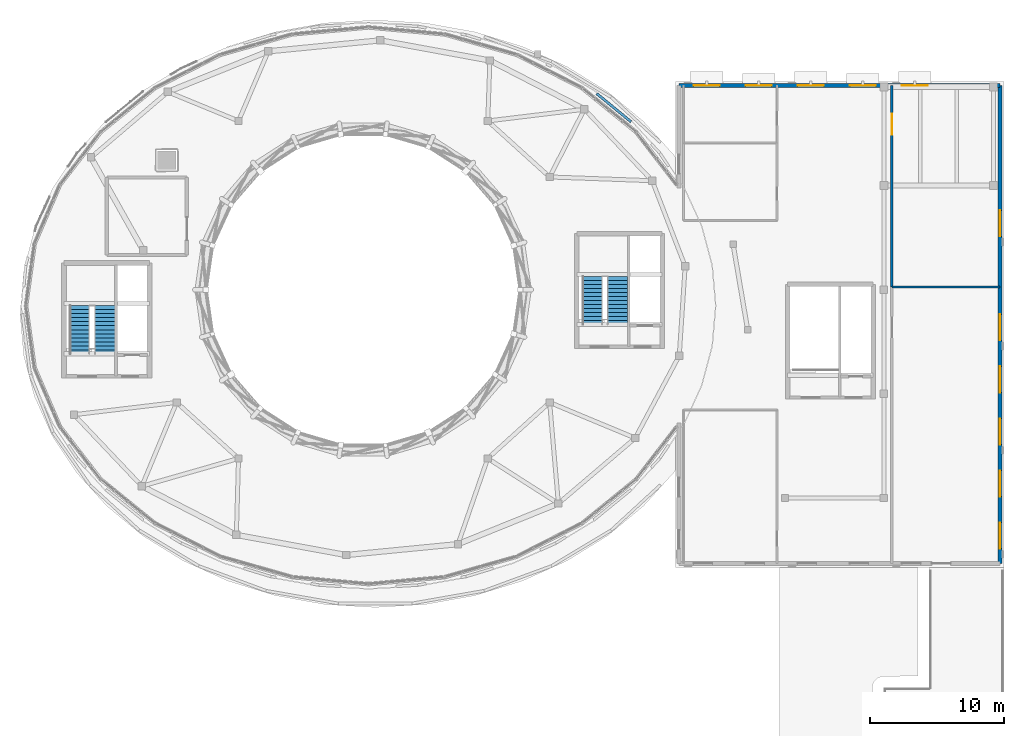
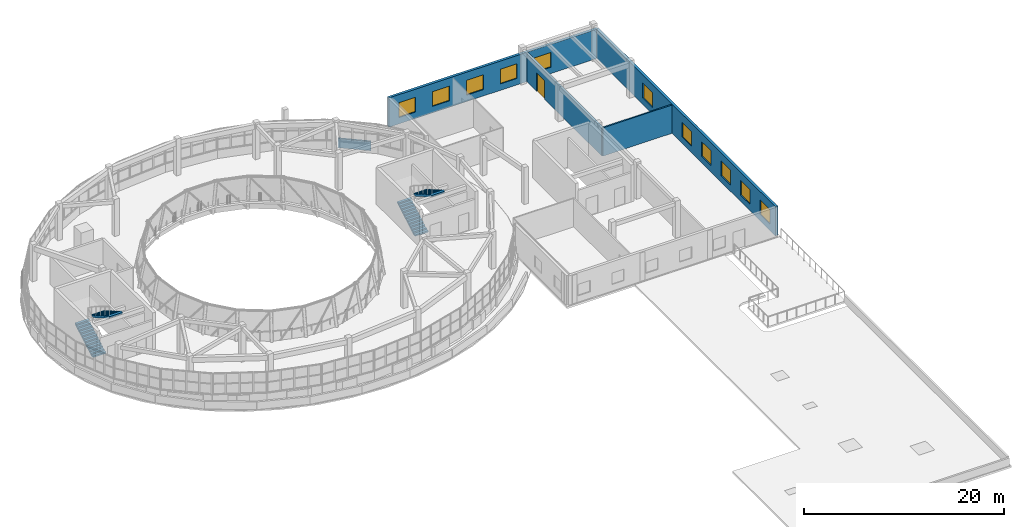
# One storey, part 38 of 46: 11 windows, 5 walls, 4 stair flights, 1 door, 12 openings, 2 elements without a shape of their own.
"""IFC4 building model written with IfcOpenShell, lengths in metres."""

from ifc_helpers import new_model, si_unit, direction, frame, frame_2d, origin, place, context, subcontext, project, spatial, polyline, rectangle, outline, extrude, material, layer, layer_set, type_object, element, fill, aggregate, save


model = new_model("IFC4")

# Units and contexts
model_context = context("Model", 3, precision=1e-05, world=origin(), true_north=direction((0.0, 1.0)))
body_context = subcontext(model_context, "Body", "Model", "MODEL_VIEW")
ifc_project = project(units=[si_unit("LENGTHUNIT", "METRE"), si_unit("AREAUNIT", "SQUARE_METRE"), si_unit("VOLUMEUNIT", "CUBIC_METRE"), si_unit("PLANEANGLEUNIT", "RADIAN"), si_unit("MASSUNIT", "GRAM", prefix="KILO")], contexts=[model_context])

# Site, building, storey
site_placement = place(None, origin())
site = spatial("IfcSite", under=ifc_project, at=site_placement, CompositionType="ELEMENT")
building_placement = place(site_placement, origin())
building = spatial("IfcBuilding", under=site, at=building_placement, Name="Pelvatis Terrace Science Centre", CompositionType="ELEMENT")
storey_placement = place(building_placement, frame((0.0, 0.0, 19.800048828125)))
storey = spatial("IfcBuildingStorey", under=building, at=storey_placement, Name="L04", CompositionType="ELEMENT", Elevation=19.800048828125)

# Wall, openings, windows
ifc_material_1 = material(Name="Precast concrete C35/45 architectural stone", Category="masonry")
ifc_layer_1 = layer(ifc_material_1, 0.294921875)
ifc_layer_set_1 = layer_set([ifc_layer_1], Name="Precast concrete C35/45 architectural stone")
wall_type_1 = type_object("IfcWallType", Name="WL-EXT-PREC-295", PredefinedType="SOLIDWALL", material=ifc_layer_set_1)
wall_1_placement = place(storey_placement, frame((156.89990234375, 65.300048828125, 0.0), z_axis=(0.0, 0.0, 1.0), x_axis=(0.0, 1.0, 0.0)))
wall_1 = element("IfcWall", 1, at=wall_1_placement, inside=storey, type_object=wall_type_1, Name="Exterior classical Art Deco facade wall EW-L04-E", PredefinedType="SOLIDWALL", context=body_context, shape_type="SweptSolid", body=[
    extrude(rectangle(XDim=35.800048828125, YDim=0.294921875, at=frame_2d((17.89990234375, 0.0))), origin(), (0.0, 0.0, 1.0), 3.570068359375),
])
opening_1_placement = place(wall_1_placement, frame((1.10009765625, 0.0, 0.780029296875)))
opening_1 = element("IfcOpeningElement", 2, at=opening_1_placement, cuts=wall_1, Name="Opening W-124", PredefinedType="OPENING", context=body_context, shape_type="SweptSolid", body=[
    extrude(rectangle(XDim=1.949951171875, YDim=1.800048828125, at=frame_2d((0.97509765625, 0.89990234375))), frame((0.0, 0.157470703125, 0.0), z_axis=(0.0, -1.0, 0.0), x_axis=(1.0, 0.0, 0.0)), (0.0, 0.0, 1.0), 0.31494140625),
])
opening_2_placement = place(wall_1_placement, frame((5.0, 0.0, 0.780029296875)))
opening_2 = element("IfcOpeningElement", 3, at=opening_2_placement, cuts=wall_1, Name="Opening W-125", PredefinedType="OPENING", context=body_context, shape_type="SweptSolid", body=[
    extrude(rectangle(XDim=1.949951171875, YDim=1.800048828125, at=frame_2d((0.97509765625, 0.89990234375))), frame((0.0, 0.157470703125, 0.0), z_axis=(0.0, -1.0, 0.0), x_axis=(1.0, 0.0, 0.0)), (0.0, 0.0, 1.0), 0.31494140625),
])
opening_3_placement = place(wall_1_placement, frame((8.89990234375, 0.0, 0.780029296875)))
opening_3 = element("IfcOpeningElement", 4, at=opening_3_placement, cuts=wall_1, Name="Opening W-126", PredefinedType="OPENING", context=body_context, shape_type="SweptSolid", body=[
    extrude(rectangle(XDim=1.949951171875, YDim=1.800048828125, at=frame_2d((0.97509765625, 0.89990234375))), frame((0.0, 0.157470703125, 0.0), z_axis=(0.0, -1.0, 0.0), x_axis=(1.0, 0.0, 0.0)), (0.0, 0.0, 1.0), 0.31494140625),
])
opening_4_placement = place(wall_1_placement, frame((12.800048828125, 0.0, 0.780029296875)))
opening_4 = element("IfcOpeningElement", 5, at=opening_4_placement, cuts=wall_1, Name="Opening W-127", PredefinedType="OPENING", context=body_context, shape_type="SweptSolid", body=[
    extrude(rectangle(XDim=1.949951171875, YDim=1.800048828125, at=frame_2d((0.97509765625, 0.89990234375))), frame((0.0, 0.157470703125, 0.0), z_axis=(0.0, -1.0, 0.0), x_axis=(1.0, 0.0, 0.0)), (0.0, 0.0, 1.0), 0.31494140625),
])
opening_5_placement = place(wall_1_placement, frame((16.699951171875, 0.0, 0.780029296875)))
opening_5 = element("IfcOpeningElement", 6, at=opening_5_placement, cuts=wall_1, Name="Opening W-128", PredefinedType="OPENING", context=body_context, shape_type="SweptSolid", body=[
    extrude(rectangle(XDim=1.949951171875, YDim=1.800048828125, at=frame_2d((0.97509765625, 0.89990234375))), frame((0.0, 0.157470703125, 0.0), z_axis=(0.0, -1.0, 0.0), x_axis=(1.0, 0.0, 0.0)), (0.0, 0.0, 1.0), 0.31494140625),
])
opening_6_placement = place(wall_1_placement, frame((24.5, 0.0, 0.780029296875)))
opening_6 = element("IfcOpeningElement", 7, at=opening_6_placement, cuts=wall_1, Name="Opening W-129", PredefinedType="OPENING", context=body_context, shape_type="SweptSolid", body=[
    extrude(rectangle(XDim=1.949951171875, YDim=1.800048828125, at=frame_2d((0.97509765625, 0.89990234375))), frame((0.0, 0.157470703125, 0.0), z_axis=(0.0, -1.0, 0.0), x_axis=(1.0, 0.0, 0.0)), (0.0, 0.0, 1.0), 0.31494140625),
])
ifc_material_2 = material(Name="Bronze-anodised aluminium and laminated low-e glass", Category="aluminium")
window_type = type_object("IfcWindowType", Name="WIN-OBS-1950x1800", PartitioningType="SINGLE_PANEL", PredefinedType="WINDOW", material=ifc_material_2)
window_1_placement = place(opening_1_placement, origin())
window_1 = element("IfcWindow", 8, at=window_1_placement, inside=storey, type_object=window_type, Name="Art Deco facade window W-124 (L04)", OverallHeight=1.800048828125, OverallWidth=1.949951171875, PartitioningType="SINGLE_PANEL", PredefinedType="WINDOW", context=body_context, shape_type="SweptSolid", body=[
    extrude(rectangle(XDim=1.949951171875, YDim=1.800048828125, at=frame_2d((0.97509765625, 0.89990234375))), frame((0.0, 0.030029296875, 0.0), z_axis=(0.0, -1.0, 0.0), x_axis=(1.0, 0.0, 0.0)), (0.0, 0.0, 1.0), 0.06005859375),
])
fill(opening_1, window_1)
window_2_placement = place(opening_2_placement, origin())
window_2 = element("IfcWindow", 9, at=window_2_placement, inside=storey, type_object=window_type, Name="Art Deco facade window W-125 (L04)", OverallHeight=1.800048828125, OverallWidth=1.949951171875, PartitioningType="SINGLE_PANEL", PredefinedType="WINDOW", context=body_context, shape_type="SweptSolid", body=[
    extrude(rectangle(XDim=1.949951171875, YDim=1.800048828125, at=frame_2d((0.97509765625, 0.89990234375))), frame((0.0, 0.030029296875, 0.0), z_axis=(0.0, -1.0, 0.0), x_axis=(1.0, 0.0, 0.0)), (0.0, 0.0, 1.0), 0.06005859375),
])
fill(opening_2, window_2)
window_3_placement = place(opening_3_placement, origin())
window_3 = element("IfcWindow", 10, at=window_3_placement, inside=storey, type_object=window_type, Name="Art Deco facade window W-126 (L04)", OverallHeight=1.800048828125, OverallWidth=1.949951171875, PartitioningType="SINGLE_PANEL", PredefinedType="WINDOW", context=body_context, shape_type="SweptSolid", body=[
    extrude(rectangle(XDim=1.949951171875, YDim=1.800048828125, at=frame_2d((0.97509765625, 0.89990234375))), frame((0.0, 0.030029296875, 0.0), z_axis=(0.0, -1.0, 0.0), x_axis=(1.0, 0.0, 0.0)), (0.0, 0.0, 1.0), 0.06005859375),
])
fill(opening_3, window_3)
window_4_placement = place(opening_4_placement, origin())
window_4 = element("IfcWindow", 11, at=window_4_placement, inside=storey, type_object=window_type, Name="Art Deco facade window W-127 (L04)", OverallHeight=1.800048828125, OverallWidth=1.949951171875, PartitioningType="SINGLE_PANEL", PredefinedType="WINDOW", context=body_context, shape_type="SweptSolid", body=[
    extrude(rectangle(XDim=1.949951171875, YDim=1.800048828125, at=frame_2d((0.97509765625, 0.89990234375))), frame((0.0, 0.030029296875, 0.0), z_axis=(0.0, -1.0, 0.0), x_axis=(1.0, 0.0, 0.0)), (0.0, 0.0, 1.0), 0.06005859375),
])
fill(opening_4, window_4)
window_5_placement = place(opening_5_placement, origin())
window_5 = element("IfcWindow", 12, at=window_5_placement, inside=storey, type_object=window_type, Name="Art Deco facade window W-128 (L04)", OverallHeight=1.800048828125, OverallWidth=1.949951171875, PartitioningType="SINGLE_PANEL", PredefinedType="WINDOW", context=body_context, shape_type="SweptSolid", body=[
    extrude(rectangle(XDim=1.949951171875, YDim=1.800048828125, at=frame_2d((0.97509765625, 0.89990234375))), frame((0.0, 0.030029296875, 0.0), z_axis=(0.0, -1.0, 0.0), x_axis=(1.0, 0.0, 0.0)), (0.0, 0.0, 1.0), 0.06005859375),
])
fill(opening_5, window_5)
window_6_placement = place(opening_6_placement, origin())
window_6 = element("IfcWindow", 13, at=window_6_placement, inside=storey, type_object=window_type, Name="Art Deco facade window W-129 (L04)", OverallHeight=1.800048828125, OverallWidth=1.949951171875, PartitioningType="SINGLE_PANEL", PredefinedType="WINDOW", context=body_context, shape_type="SweptSolid", body=[
    extrude(rectangle(XDim=1.949951171875, YDim=1.800048828125, at=frame_2d((0.97509765625, 0.89990234375))), frame((0.0, 0.030029296875, 0.0), z_axis=(0.0, -1.0, 0.0), x_axis=(1.0, 0.0, 0.0)), (0.0, 0.0, 1.0), 0.06005859375),
])
fill(opening_6, window_6)

wall_2_placement = place(storey_placement, frame((132.85009765625, 101.10009765625, 0.0), z_axis=(0.0, 0.0, 1.0), x_axis=(1.0, 0.0, 0.0)))
wall_2 = element("IfcWall", 14, at=wall_2_placement, inside=storey, type_object=wall_type_1, Name="Exterior classical Art Deco facade wall EW-L04-N", PredefinedType="SOLIDWALL", context=body_context, shape_type="SweptSolid", body=[
    extrude(rectangle(XDim=24.0498046875, YDim=0.294921875, at=frame_2d((12.02490234375, 0.0))), origin(), (0.0, 0.0, 1.0), 3.570068359375),
])
opening_7_placement = place(wall_2_placement, frame((1.10009765625, 0.0, 0.780029296875)))
opening_7 = element("IfcOpeningElement", 15, at=opening_7_placement, cuts=wall_2, Name="Opening W-130", PredefinedType="OPENING", context=body_context, shape_type="SweptSolid", body=[
    extrude(rectangle(XDim=1.949951171875, YDim=1.800048828125, at=frame_2d((0.97509765625, 0.89990234375))), frame((0.0, 0.157470703125, 0.0), z_axis=(0.0, -1.0, 0.0), x_axis=(1.0, 0.0, 0.0)), (0.0, 0.0, 1.0), 0.31494140625),
])
opening_8_placement = place(wall_2_placement, frame((5.0, 0.0, 0.780029296875)))
opening_8 = element("IfcOpeningElement", 16, at=opening_8_placement, cuts=wall_2, Name="Opening W-131", PredefinedType="OPENING", context=body_context, shape_type="SweptSolid", body=[
    extrude(rectangle(XDim=1.949951171875, YDim=1.800048828125, at=frame_2d((0.97509765625, 0.89990234375))), frame((0.0, 0.157470703125, 0.0), z_axis=(0.0, -1.0, 0.0), x_axis=(1.0, 0.0, 0.0)), (0.0, 0.0, 1.0), 0.31494140625),
])
opening_9_placement = place(wall_2_placement, frame((8.89990234375, 0.0, 0.780029296875)))
opening_9 = element("IfcOpeningElement", 17, at=opening_9_placement, cuts=wall_2, Name="Opening W-132", PredefinedType="OPENING", context=body_context, shape_type="SweptSolid", body=[
    extrude(rectangle(XDim=1.949951171875, YDim=1.800048828125, at=frame_2d((0.97509765625, 0.89990234375))), frame((0.0, 0.157470703125, 0.0), z_axis=(0.0, -1.0, 0.0), x_axis=(1.0, 0.0, 0.0)), (0.0, 0.0, 1.0), 0.31494140625),
])
opening_10_placement = place(wall_2_placement, frame((12.800048828125, 0.0, 0.780029296875)))
opening_10 = element("IfcOpeningElement", 18, at=opening_10_placement, cuts=wall_2, Name="Opening W-133", PredefinedType="OPENING", context=body_context, shape_type="SweptSolid", body=[
    extrude(rectangle(XDim=1.949951171875, YDim=1.800048828125, at=frame_2d((0.97509765625, 0.89990234375))), frame((0.0, 0.157470703125, 0.0), z_axis=(0.0, -1.0, 0.0), x_axis=(1.0, 0.0, 0.0)), (0.0, 0.0, 1.0), 0.31494140625),
])
opening_11_placement = place(wall_2_placement, frame((16.699951171875, 0.0, 0.780029296875)))
opening_11 = element("IfcOpeningElement", 19, at=opening_11_placement, cuts=wall_2, Name="Opening W-134", PredefinedType="OPENING", context=body_context, shape_type="SweptSolid", body=[
    extrude(rectangle(XDim=1.949951171875, YDim=1.800048828125, at=frame_2d((0.97509765625, 0.89990234375))), frame((0.0, 0.157470703125, 0.0), z_axis=(0.0, -1.0, 0.0), x_axis=(1.0, 0.0, 0.0)), (0.0, 0.0, 1.0), 0.31494140625),
])
window_7_placement = place(opening_7_placement, origin())
window_7 = element("IfcWindow", 20, at=window_7_placement, inside=storey, type_object=window_type, Name="Art Deco facade window W-130 (L04)", OverallHeight=1.800048828125, OverallWidth=1.949951171875, PartitioningType="SINGLE_PANEL", PredefinedType="WINDOW", context=body_context, shape_type="SweptSolid", body=[
    extrude(rectangle(XDim=1.949951171875, YDim=1.800048828125, at=frame_2d((0.97509765625, 0.89990234375))), frame((0.0, 0.030029296875, 0.0), z_axis=(0.0, -1.0, 0.0), x_axis=(1.0, 0.0, 0.0)), (0.0, 0.0, 1.0), 0.06005859375),
])
fill(opening_7, window_7)
window_8_placement = place(opening_8_placement, origin())
window_8 = element("IfcWindow", 21, at=window_8_placement, inside=storey, type_object=window_type, Name="Art Deco facade window W-131 (L04)", OverallHeight=1.800048828125, OverallWidth=1.949951171875, PartitioningType="SINGLE_PANEL", PredefinedType="WINDOW", context=body_context, shape_type="SweptSolid", body=[
    extrude(rectangle(XDim=1.949951171875, YDim=1.800048828125, at=frame_2d((0.97509765625, 0.89990234375))), frame((0.0, 0.030029296875, 0.0), z_axis=(0.0, -1.0, 0.0), x_axis=(1.0, 0.0, 0.0)), (0.0, 0.0, 1.0), 0.06005859375),
])
fill(opening_8, window_8)
window_9_placement = place(opening_9_placement, origin())
window_9 = element("IfcWindow", 22, at=window_9_placement, inside=storey, type_object=window_type, Name="Art Deco facade window W-132 (L04)", OverallHeight=1.800048828125, OverallWidth=1.949951171875, PartitioningType="SINGLE_PANEL", PredefinedType="WINDOW", context=body_context, shape_type="SweptSolid", body=[
    extrude(rectangle(XDim=1.949951171875, YDim=1.800048828125, at=frame_2d((0.97509765625, 0.89990234375))), frame((0.0, 0.030029296875, 0.0), z_axis=(0.0, -1.0, 0.0), x_axis=(1.0, 0.0, 0.0)), (0.0, 0.0, 1.0), 0.06005859375),
])
fill(opening_9, window_9)
window_10_placement = place(opening_10_placement, origin())
window_10 = element("IfcWindow", 23, at=window_10_placement, inside=storey, type_object=window_type, Name="Art Deco facade window W-133 (L04)", OverallHeight=1.800048828125, OverallWidth=1.949951171875, PartitioningType="SINGLE_PANEL", PredefinedType="WINDOW", context=body_context, shape_type="SweptSolid", body=[
    extrude(rectangle(XDim=1.949951171875, YDim=1.800048828125, at=frame_2d((0.97509765625, 0.89990234375))), frame((0.0, 0.030029296875, 0.0), z_axis=(0.0, -1.0, 0.0), x_axis=(1.0, 0.0, 0.0)), (0.0, 0.0, 1.0), 0.06005859375),
])
fill(opening_10, window_10)
window_11_placement = place(opening_11_placement, origin())
window_11 = element("IfcWindow", 24, at=window_11_placement, inside=storey, type_object=window_type, Name="Art Deco facade window W-134 (L04)", OverallHeight=1.800048828125, OverallWidth=1.949951171875, PartitioningType="SINGLE_PANEL", PredefinedType="WINDOW", context=body_context, shape_type="SweptSolid", body=[
    extrude(rectangle(XDim=1.949951171875, YDim=1.800048828125, at=frame_2d((0.97509765625, 0.89990234375))), frame((0.0, 0.030029296875, 0.0), z_axis=(0.0, -1.0, 0.0), x_axis=(1.0, 0.0, 0.0)), (0.0, 0.0, 1.0), 0.06005859375),
])
fill(opening_11, window_11)

# Wall, opening, door
ifc_material_3 = material(Name="Masonry fire-compartment wall", Category="masonry")
ifc_layer_2 = layer(ifc_material_3, 0.199951171875)
ifc_layer_set_2 = layer_set([ifc_layer_2], Name="Masonry fire-compartment wall")
wall_type_2 = type_object("IfcWallType", Name="WL-INT-COMP-200", PredefinedType="PARTITIONING", material=ifc_layer_set_2)
wall_3_placement = place(storey_placement, frame((148.800048828125, 101.10009765625, 0.0), z_axis=(0.0, 0.0, 1.0), x_axis=(0.0, -1.0, 0.0)))
wall_3 = element("IfcWall", 25, at=wall_3_placement, inside=storey, type_object=wall_type_2, Name="Planetarium Dedicated Low-Noise Acoustic AHU Plant partition wall W", PredefinedType="PARTITIONING", context=body_context, shape_type="SweptSolid", body=[
    extrude(rectangle(XDim=15.10009765625, YDim=0.199951171875, at=frame_2d((7.550048828125, 0.0))), origin(), (0.0, 0.0, 1.0), 3.449951171875),
])
opening_12_placement = place(wall_3_placement, frame((2.113037109375, 0.0, 0.0)))
opening_12 = element("IfcOpeningElement", 26, at=opening_12_placement, cuts=wall_3, Name="Opening D-219", PredefinedType="OPENING", context=body_context, shape_type="SweptSolid", body=[
    extrude(rectangle(XDim=1.60009765625, YDim=2.25, at=frame_2d((0.800048828125, 1.125))), frame((0.0, 0.10986328125, 0.0), z_axis=(0.0, -1.0, 0.0), x_axis=(1.0, 0.0, 0.0)), (0.0, 0.0, 1.0), 0.219970703125),
])
ifc_material_4 = material(Name="Louvred steel plant room fire door", Category="steel")
door_type = type_object("IfcDoorType", Name="DR-PLNT-1600x2250", OperationType="NOTDEFINED", PredefinedType="DOOR", material=ifc_material_4)
door_placement = place(opening_12_placement, origin())
door = element("IfcDoor", 27, at=door_placement, inside=storey, type_object=door_type, Name="Planetarium Dedicated Low-Noise Acoustic AHU Plant entrance door", OperationType="DOUBLE_DOOR_SINGLE_SWING", OverallHeight=2.25, OverallWidth=1.60009765625, PredefinedType="DOOR", context=body_context, shape_type="SweptSolid", body=[
    extrude(rectangle(XDim=1.60009765625, YDim=2.25, at=frame_2d((0.800048828125, 1.125))), frame((0.0, 0.02490234375, 0.0), z_axis=(0.0, -1.0, 0.0), x_axis=(1.0, 0.0, 0.0)), (0.0, 0.0, 1.0), 0.050048828125),
])
fill(opening_12, door)

# Walls
ifc_material_5 = material(Name="Dry studio acoustic partition", Category="masonry")
ifc_layer_3 = layer(ifc_material_5, 0.1650390625)
ifc_layer_set_3 = layer_set([ifc_layer_3], Name="Dry studio acoustic partition")
wall_type_3 = type_object("IfcWallType", Name="WL-INT-LAB-165", PredefinedType="PARTITIONING", material=ifc_layer_set_3)
wall_4_placement = place(storey_placement, frame((156.89990234375, 86.0, 0.0), z_axis=(0.0, 0.0, 1.0), x_axis=(-1.0, 0.0, 0.0)))
element("IfcWall", 28, at=wall_4_placement, inside=storey, type_object=wall_type_3, Name="Digital Dome Production and Fulldome Rendering Studio partition wall N", PredefinedType="PARTITIONING", context=body_context, shape_type="SweptSolid", body=[
    extrude(rectangle(XDim=8.099853515625, YDim=0.1650390625, at=frame_2d((4.0498046875, 0.0))), origin(), (0.0, 0.0, 1.0), 3.449951171875),
])
ifc_material_6 = material(Name="White architectural precast concrete C40/50 spandrel parapet", Category="concrete")
ifc_layer_4 = layer(ifc_material_6, 0.18994140625)
ifc_layer_set_4 = layer_set([ifc_layer_4], Name="White architectural precast concrete C40/50 spandrel parapet")
wall_type_4 = type_object("IfcWallType", Name="WL-PAR-190", PredefinedType="PARAPET", material=ifc_layer_set_4)
wall_5_placement = place(storey_placement, frame((126.69091796875, 100.49169921875, 0.0), z_axis=(0.0, 0.0, 1.0), x_axis=(0.772667258748, -0.634811237502, 0.0)))
element("IfcWall", 29, at=wall_5_placement, inside=storey, type_object=wall_type_4, Name="Perimeter edge closure parapet PW-EDG-L04-397", PredefinedType="PARAPET", context=body_context, shape_type="SweptSolid", body=[
    extrude(rectangle(XDim=3.334716796875, YDim=0.18994140625, at=frame_2d((1.66748046875, 0.0))), origin(), (0.0, 0.0, 1.0), 1.119873046875),
])

# Stair, stair flights
ifc_material_7 = material(Name="Concrete C35/45", Category="concrete")
stair_type = type_object("IfcStairType", Name="STR-2RUN-1500-45", PredefinedType="TWO_STRAIGHT_RUN_STAIR", material=ifc_material_7)
stair_1_placement = place(storey_placement, origin())
stair_1 = element("IfcStair", 30, at=stair_1_placement, inside=storey, type_object=stair_type, Name="Protected core stair ST-01-L04", PredefinedType="TWO_STRAIGHT_RUN_STAIR")
ifc_material_8 = material(Name="Concrete C35/45", Category="concrete")
ifc_layer_5 = layer(ifc_material_8, 0.179931640625)
ifc_layer_set_5 = layer_set([ifc_layer_5], Name="Concrete C35/45")
stair_flight_type = type_object("IfcStairFlightType", Name="SFL-RC-1500", PredefinedType="STRAIGHT", material=ifc_layer_set_5)
stair_flight_1_placement = place(storey_placement, frame((87.949951171875, 81.0, 0.0), z_axis=(0.0, 0.0, 1.0), x_axis=(0.0, 1.0, 0.0)))
stair_flight_1 = element("IfcStairFlight", 31, at=stair_flight_1_placement, type_object=stair_flight_type, Name="ST-01-L04 flight 1", NumberOfRisers=13, NumberOfTreads=12, PredefinedType="STRAIGHT", RiserHeight=0.173076923, TreadLength=0.3, context=body_context, shape_type="SweptSolid", body=[
    extrude(outline(polyline([(0.0, 0.0), (0.0, 0.173095703125), (0.300048828125, 0.173095703125), (0.300048828125, 0.34619140625), (0.60009765625, 0.34619140625), (0.60009765625, 0.519287109375), (0.89990234375, 0.519287109375), (0.89990234375, 0.6923828125), (1.199951171875, 0.6923828125), (1.199951171875, 0.865478515625), (1.5, 0.865478515625), (1.5, 1.03857421875), (1.800048828125, 1.03857421875), (1.800048828125, 1.21142578125), (2.10009765625, 1.21142578125), (2.10009765625, 1.384521484375), (2.39990234375, 1.384521484375), (2.39990234375, 1.5576171875), (2.699951171875, 1.5576171875), (2.699951171875, 1.730712890625), (3.0, 1.730712890625), (3.0, 1.90380859375), (3.300048828125, 1.90380859375), (3.300048828125, 2.076904296875), (3.60009765625, 2.076904296875), (3.60009765625, 2.25), (3.60009765625, 1.869140625), (0.360107421875, 0.0), (0.0, 0.0)])), frame((0.0, 0.75, 0.0), z_axis=(0.0, -1.0, 0.0), x_axis=(1.0, 0.0, 0.0)), (0.0, 0.0, 1.0), 1.5),
])
stair_flight_2_placement = place(storey_placement, frame((89.85009765625, 84.60009765625, 2.25), z_axis=(0.0, 0.0, 1.0), x_axis=(0.0, -1.0, 0.0)))
stair_flight_2 = element("IfcStairFlight", 32, at=stair_flight_2_placement, type_object=stair_flight_type, Name="ST-01-L04 flight 2", NumberOfRisers=13, NumberOfTreads=12, PredefinedType="STRAIGHT", RiserHeight=0.173076923, TreadLength=0.3, context=body_context, shape_type="SweptSolid", body=[
    extrude(outline(polyline([(0.0, 0.0), (0.0, 0.173095703125), (0.300048828125, 0.173095703125), (0.300048828125, 0.34619140625), (0.60009765625, 0.34619140625), (0.60009765625, 0.519287109375), (0.89990234375, 0.519287109375), (0.89990234375, 0.6923828125), (1.199951171875, 0.6923828125), (1.199951171875, 0.865478515625), (1.5, 0.865478515625), (1.5, 1.03857421875), (1.800048828125, 1.03857421875), (1.800048828125, 1.21142578125), (2.10009765625, 1.21142578125), (2.10009765625, 1.384521484375), (2.39990234375, 1.384521484375), (2.39990234375, 1.5576171875), (2.699951171875, 1.5576171875), (2.699951171875, 1.730712890625), (3.0, 1.730712890625), (3.0, 1.90380859375), (3.300048828125, 1.90380859375), (3.300048828125, 2.076904296875), (3.60009765625, 2.076904296875), (3.60009765625, 2.25), (3.60009765625, 1.869140625), (0.360107421875, 0.0), (0.0, 0.0)])), frame((0.0, 0.75, 0.0), z_axis=(0.0, -1.0, 0.0), x_axis=(1.0, 0.0, 0.0)), (0.0, 0.0, 1.0), 1.5),
])
aggregate(stair_1, [stair_flight_1, stair_flight_2])

stair_2_placement = place(storey_placement, origin())
stair_2 = element("IfcStair", 33, at=stair_2_placement, inside=storey, type_object=stair_type, Name="Protected core stair ST-02-L04", PredefinedType="TWO_STRAIGHT_RUN_STAIR")
stair_flight_3_placement = place(storey_placement, frame((126.35009765625, 83.199951171875, 0.0), z_axis=(0.0, 0.0, 1.0), x_axis=(0.0, 1.0, 0.0)))
stair_flight_3 = element("IfcStairFlight", 34, at=stair_flight_3_placement, type_object=stair_flight_type, Name="ST-02-L04 flight 1", NumberOfRisers=13, NumberOfTreads=12, PredefinedType="STRAIGHT", RiserHeight=0.173076923, TreadLength=0.3, context=body_context, shape_type="SweptSolid", body=[
    extrude(outline(polyline([(0.0, 0.0), (0.0, 0.173095703125), (0.300048828125, 0.173095703125), (0.300048828125, 0.34619140625), (0.60009765625, 0.34619140625), (0.60009765625, 0.519287109375), (0.89990234375, 0.519287109375), (0.89990234375, 0.6923828125), (1.199951171875, 0.6923828125), (1.199951171875, 0.865478515625), (1.5, 0.865478515625), (1.5, 1.03857421875), (1.800048828125, 1.03857421875), (1.800048828125, 1.21142578125), (2.10009765625, 1.21142578125), (2.10009765625, 1.384521484375), (2.39990234375, 1.384521484375), (2.39990234375, 1.5576171875), (2.699951171875, 1.5576171875), (2.699951171875, 1.730712890625), (3.0, 1.730712890625), (3.0, 1.90380859375), (3.300048828125, 1.90380859375), (3.300048828125, 2.076904296875), (3.60009765625, 2.076904296875), (3.60009765625, 2.25), (3.60009765625, 1.869140625), (0.360107421875, 0.0), (0.0, 0.0)])), frame((0.0, 0.75, 0.0), z_axis=(0.0, -1.0, 0.0), x_axis=(1.0, 0.0, 0.0)), (0.0, 0.0, 1.0), 1.5),
])
stair_flight_4_placement = place(storey_placement, frame((128.25, 86.800048828125, 2.25), z_axis=(0.0, 0.0, 1.0), x_axis=(0.0, -1.0, 0.0)))
stair_flight_4 = element("IfcStairFlight", 35, at=stair_flight_4_placement, type_object=stair_flight_type, Name="ST-02-L04 flight 2", NumberOfRisers=13, NumberOfTreads=12, PredefinedType="STRAIGHT", RiserHeight=0.173076923, TreadLength=0.3, context=body_context, shape_type="SweptSolid", body=[
    extrude(outline(polyline([(0.0, 0.0), (0.0, 0.173095703125), (0.300048828125, 0.173095703125), (0.300048828125, 0.34619140625), (0.60009765625, 0.34619140625), (0.60009765625, 0.519287109375), (0.89990234375, 0.519287109375), (0.89990234375, 0.6923828125), (1.199951171875, 0.6923828125), (1.199951171875, 0.865478515625), (1.5, 0.865478515625), (1.5, 1.03857421875), (1.800048828125, 1.03857421875), (1.800048828125, 1.21142578125), (2.10009765625, 1.21142578125), (2.10009765625, 1.384521484375), (2.39990234375, 1.384521484375), (2.39990234375, 1.5576171875), (2.699951171875, 1.5576171875), (2.699951171875, 1.730712890625), (3.0, 1.730712890625), (3.0, 1.90380859375), (3.300048828125, 1.90380859375), (3.300048828125, 2.076904296875), (3.60009765625, 2.076904296875), (3.60009765625, 2.25), (3.60009765625, 1.869140625), (0.360107421875, 0.0), (0.0, 0.0)])), frame((0.0, 0.75, 0.0), z_axis=(0.0, -1.0, 0.0), x_axis=(1.0, 0.0, 0.0)), (0.0, 0.0, 1.0), 1.5),
])
aggregate(stair_2, [stair_flight_3, stair_flight_4])

save(model, "model.ifc")
